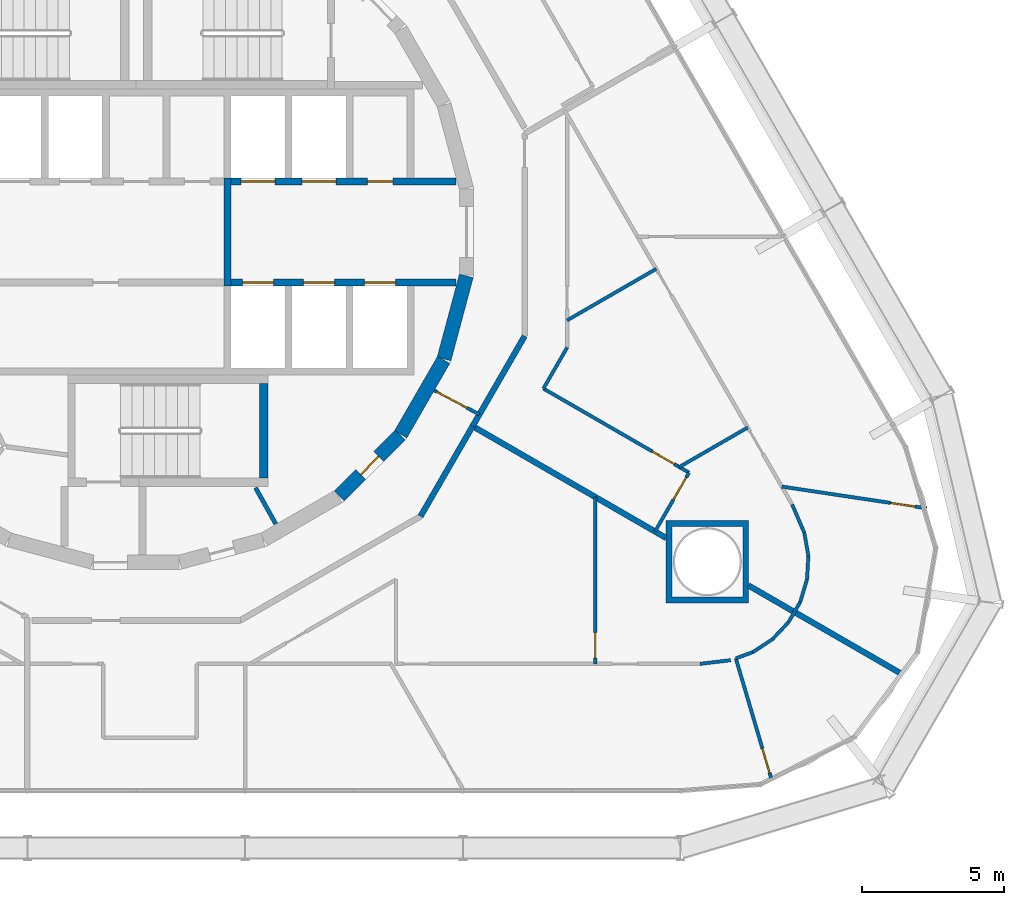
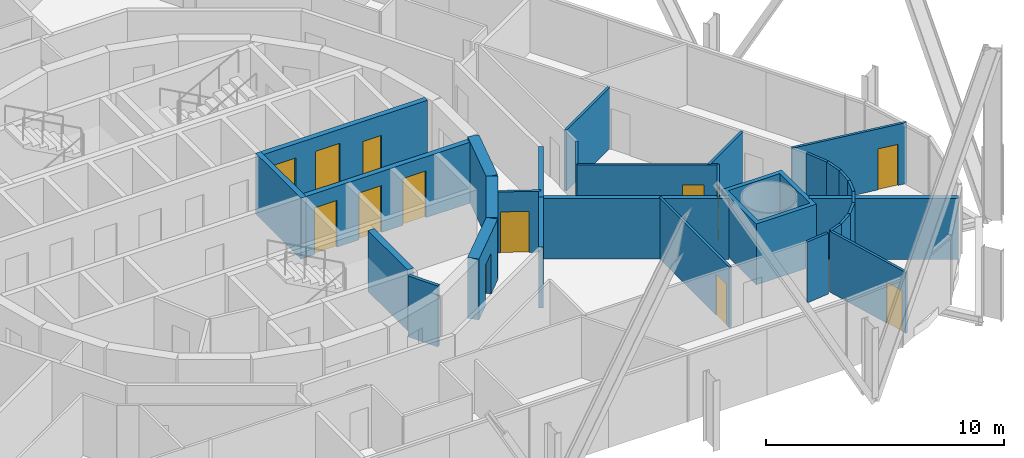
# One storey, part 17 of 21: 31 walls, 13 doors, 13 openings.
"""IFC4 building model written with IfcOpenShell, lengths in metres."""

from ifc_helpers import new_model, si_unit, direction, frame, frame_2d, origin, place, context, subcontext, project, spatial, polyline, rectangle, outline, extrude, material, layer, layer_set, type_object, element, fill, save


model = new_model("IFC4")

# Units and contexts
model_context = context("Model", 3, precision=1e-05, world=origin(), true_north=direction((0.0, 1.0)))
body_context = subcontext(model_context, "Body", "Model", "MODEL_VIEW")
ifc_project = project(units=[si_unit("LENGTHUNIT", "METRE"), si_unit("AREAUNIT", "SQUARE_METRE"), si_unit("VOLUMEUNIT", "CUBIC_METRE"), si_unit("PLANEANGLEUNIT", "RADIAN"), si_unit("MASSUNIT", "GRAM", prefix="KILO")], contexts=[model_context])

# Site, building, storey
site_placement = place(None, origin())
site = spatial("IfcSite", under=ifc_project, at=site_placement, CompositionType="ELEMENT")
building_placement = place(site_placement, origin())
building = spatial("IfcBuilding", under=site, at=building_placement, Name="Spindle Arch Residences", CompositionType="ELEMENT")
storey_placement = place(building_placement, frame((0.0, 0.0, 38.39990234375)))
storey = spatial("IfcBuildingStorey", under=building, at=storey_placement, Name="L07", CompositionType="ELEMENT", Elevation=38.39990234375)

# Wall, opening, door
ifc_material_1 = material(Name="Concrete C50/60", Category="concrete")
ifc_layer_1 = layer(ifc_material_1, 0.5)
ifc_layer_set_1 = layer_set([ifc_layer_1], Name="Core outline wall 500")
wall_type_1 = type_object("IfcWallType", Name="Core outline wall 500", PredefinedType="SHEAR", material=ifc_layer_set_1)
wall_1_placement = place(storey_placement, frame((7.163818359375, -9.30810546875, 0.0), z_axis=(0.0, 0.0, 1.0), x_axis=(0.707106781187, 0.707106781187, 0.0)))
wall_1 = element("IfcWall", 1, at=wall_1_placement, inside=storey, type_object=wall_type_1, Name="Core outline wall 3", PredefinedType="SHEAR", context=body_context, shape_type="SweptSolid", body=[
    extrude(rectangle(XDim=3.032470703125, YDim=0.5, at=frame_2d((1.51611328125, 0.0))), origin(), (0.0, 0.0, 1.0), 3.1201171875),
])
opening_1_placement = place(wall_1_placement, frame((1.06640625, 0.0, 0.0)))
opening_1 = element("IfcOpeningElement", 2, at=opening_1_placement, cuts=wall_1, Name="Opening R1A0-WD07", PredefinedType="OPENING", context=body_context, shape_type="SweptSolid", body=[
    extrude(rectangle(XDim=0.89990234375, YDim=2.10009765625, at=frame_2d((0.449951171875, 1.050048828125))), frame((0.0, 0.260009765625, 0.0), z_axis=(0.0, -1.0, 0.0), x_axis=(1.0, 0.0, 0.0)), (0.0, 0.0, 1.0), 0.52001953125),
])
ifc_material_2 = material(Name="Steel, fire-resisting door", Category="steel")
door_type_1 = type_object("IfcDoorType", Name="Service room door 900x2100", OperationType="SINGLE_SWING_LEFT", PredefinedType="DOOR", material=ifc_material_2)
door_1_placement = place(opening_1_placement, origin())
door_1 = element("IfcDoor", 3, at=door_1_placement, inside=storey, type_object=door_type_1, Name="Service room door R1A0-WD07", OperationType="SINGLE_SWING_RIGHT", OverallHeight=2.10009765625, OverallWidth=0.89990234375, PredefinedType="DOOR", context=body_context, shape_type="SweptSolid", body=[
    extrude(rectangle(XDim=0.89990234375, YDim=2.10009765625, at=frame_2d((0.449951171875, 1.050048828125))), frame((0.0, 0.02490234375, 0.0), z_axis=(0.0, -1.0, 0.0), x_axis=(1.0, 0.0, 0.0)), (0.0, 0.0, 1.0), 0.050048828125),
])
fill(opening_1, door_1)

# Walls
for number, where, z_axis, x_axis, name in (
    (4, (9.32861328125, -7.13671875, 0.0), (0.0, 0.0, 1.0), (0.500087131594, 0.865975092491, 0.0), "Core outline wall 4"),
    (5, (10.858154296875, -4.479248046875, 0.0), (0.0, 0.0, 1.0), (0.258734743916, 0.965948410781, 0.0), "Core outline wall 5"),
):
    element("IfcWall", number, at=place(storey_placement, frame(where, z_axis=z_axis, x_axis=x_axis)), inside=storey, type_object=wall_type_1, Name=name, PredefinedType="SHEAR", context=body_context, shape_type="SweptSolid", body=[
        extrude(rectangle(XDim=3.03271484375, YDim=0.5, at=frame_2d((1.516357421875, 0.0))), origin(), (0.0, 0.0, 1.0), 3.1201171875),
    ])

# Wall, opening, door
ifc_material_3 = material(Name="Plasterboard on steel studs", Category="steel")
ifc_layer_2 = layer(ifc_material_3, 0.1201171875)
ifc_layer_set_2 = layer_set([ifc_layer_2], Name="Corridor division wall 120")
wall_type_2 = type_object("IfcWallType", Name="Corridor division wall 120", PredefinedType="PARTITIONING", material=ifc_layer_set_2)
wall_2_placement = place(storey_placement, frame((10.510986328125, -5.5888671875, 0.0), z_axis=(0.0, 0.0, 1.0), x_axis=(0.88294043061, -0.469485032769, 0.0)))
wall_2 = element("IfcWall", 6, at=wall_2_placement, inside=storey, type_object=wall_type_2, Name="Corridor division wall R1A0-W002", PredefinedType="PARTITIONING", context=body_context, shape_type="SweptSolid", body=[
    extrude(rectangle(XDim=1.803955078125, YDim=0.1201171875, at=frame_2d((0.90185546875, 0.0))), origin(), (0.0, 0.0, 1.0), 3.1201171875),
])
opening_2_placement = place(wall_2_placement, frame((0.10009765625, 0.0, 0.0)))
opening_2 = element("IfcOpeningElement", 7, at=opening_2_placement, cuts=wall_2, Name="Opening R1A0-CD02", PredefinedType="OPENING", context=body_context, shape_type="SweptSolid", body=[
    extrude(rectangle(XDim=1.199951171875, YDim=2.10009765625, at=frame_2d((0.60009765625, 1.050048828125))), frame((0.0, 0.070068359375, 0.0), z_axis=(0.0, -1.0, 0.0), x_axis=(1.0, 0.0, 0.0)), (0.0, 0.0, 1.0), 0.14013671875),
])
ifc_material_4 = material(Name="Steel, fire-resisting door", Category="steel")
door_type_2 = type_object("IfcDoorType", Name="Corridor division door 1200x2100", OperationType="NOTDEFINED", PredefinedType="DOOR", material=ifc_material_4)
door_2_placement = place(opening_2_placement, origin())
door_2 = element("IfcDoor", 8, at=door_2_placement, inside=storey, type_object=door_type_2, Name="Corridor division door R1A0-CD02", OperationType="DOUBLE_DOOR_SINGLE_SWING", OverallHeight=2.10009765625, OverallWidth=1.199951171875, PredefinedType="DOOR", context=body_context, shape_type="SweptSolid", body=[
    extrude(rectangle(XDim=1.199951171875, YDim=2.10009765625, at=frame_2d((0.60009765625, 1.050048828125))), frame((0.0, 0.02490234375, 0.0), z_axis=(0.0, -1.0, 0.0), x_axis=(1.0, 0.0, 0.0)), (0.0, 0.0, 1.0), 0.050048828125),
])
fill(opening_2, door_2)

# Walls
ifc_material_5 = material(Name="Calcium silicate block, plastered")
ifc_layer_3 = layer(ifc_material_5, 0.199951171875)
ifc_layer_set_3 = layer_set([ifc_layer_3], Name="Corridor wall 200")
wall_type_3 = type_object("IfcWallType", Name="Corridor wall 200", PredefinedType="STANDARD", material=ifc_layer_set_3)
wall_3_placement = place(storey_placement, frame((11.864990234375, -6.84912109375, 0.0), z_axis=(0.0, 0.0, 1.0), x_axis=(0.500002704028, 0.866023842607, 0.0)))
element("IfcWall", 9, at=wall_3_placement, inside=storey, type_object=wall_type_3, Name="Corridor wall R1A0-W007", PredefinedType="STANDARD", context=body_context, shape_type="SweptSolid", body=[
    extrude(rectangle(XDim=3.669921875, YDim=0.199951171875, at=frame_2d((1.8349609375, 0.0))), origin(), (0.0, 0.0, 1.0), 3.1201171875),
])
wall_4_placement = place(storey_placement, frame((10.029052734375, -10.029052734375, 0.0), z_axis=(0.0, 0.0, 1.0), x_axis=(0.50001606911, 0.866016126081, 0.0)))
element("IfcWall", 10, at=wall_4_placement, inside=storey, type_object=wall_type_3, Name="Corridor wall R1A0-W016", PredefinedType="STANDARD", context=body_context, shape_type="SweptSolid", body=[
    extrude(rectangle(XDim=3.6708984375, YDim=0.199951171875, at=frame_2d((1.83544921875, 0.0))), origin(), (0.0, 0.0, 1.0), 3.1201171875),
])

# Wall, openings, doors
ifc_material_6 = material(Name="Concrete C40/50", Category="concrete")
ifc_layer_4 = layer(ifc_material_6, 0.25)
ifc_layer_set_4 = layer_set([ifc_layer_4], Name="Fire-lift lobby wall 250")
wall_type_4 = type_object("IfcWallType", Name="Fire-lift lobby wall 250", PredefinedType="SHEAR", material=ifc_layer_set_4)
wall_5_placement = place(storey_placement, frame((3.35009765625, 1.77490234375, 0.0), z_axis=(0.0, 0.0, 1.0), x_axis=(1.0, 0.0, 0.0)))
wall_5 = element("IfcWall", 11, at=wall_5_placement, inside=storey, type_object=wall_type_4, Name="Lift shaft front wall NE", PredefinedType="SHEAR", context=body_context, shape_type="SweptSolid", body=[
    extrude(rectangle(XDim=7.929931640625, YDim=0.25, at=frame_2d((3.96484375, 0.0))), origin(), (0.0, 0.0, 1.0), 3.1201171875),
])
opening_3_placement = place(wall_5_placement, frame((0.35009765625, 0.0, 0.0)))
opening_3 = element("IfcOpeningElement", 12, at=opening_3_placement, cuts=wall_5, Name="Opening R1A0-SLD01", PredefinedType="OPENING", context=body_context, shape_type="SweptSolid", body=[
    extrude(rectangle(XDim=1.199951171875, YDim=2.39990234375, at=frame_2d((0.60009765625, 1.199951171875))), frame((0.0, 0.135009765625, 0.0), z_axis=(0.0, -1.0, 0.0), x_axis=(1.0, 0.0, 0.0)), (0.0, 0.0, 1.0), 0.27001953125),
])
opening_4_placement = place(wall_5_placement, frame((2.5, 0.0, 0.0)))
opening_4 = element("IfcOpeningElement", 13, at=opening_4_placement, cuts=wall_5, Name="Opening R1A0-SLD02", PredefinedType="OPENING", context=body_context, shape_type="SweptSolid", body=[
    extrude(rectangle(XDim=1.199951171875, YDim=2.39990234375, at=frame_2d((0.60009765625, 1.199951171875))), frame((0.0, 0.135009765625, 0.0), z_axis=(0.0, -1.0, 0.0), x_axis=(1.0, 0.0, 0.0)), (0.0, 0.0, 1.0), 0.27001953125),
])
opening_5_placement = place(wall_5_placement, frame((4.800048828125, 0.0, 0.0)))
opening_5 = element("IfcOpeningElement", 14, at=opening_5_placement, cuts=wall_5, Name="Opening R1A0-WD03", PredefinedType="OPENING", context=body_context, shape_type="SweptSolid", body=[
    extrude(rectangle(XDim=0.89990234375, YDim=2.10009765625, at=frame_2d((0.449951171875, 1.050048828125))), frame((0.0, 0.135009765625, 0.0), z_axis=(0.0, -1.0, 0.0), x_axis=(1.0, 0.0, 0.0)), (0.0, 0.0, 1.0), 0.27001953125),
])
ifc_material_7 = material(Name="Steel, fire-resisting landing door", Category="steel")
door_type_3 = type_object("IfcDoorType", Name="Service lift landing door 1200x2400", OperationType="DOUBLE_DOOR_SLIDING", PredefinedType="DOOR", material=ifc_material_7)
door_3_placement = place(opening_3_placement, origin())
door_3 = element("IfcDoor", 15, at=door_3_placement, inside=storey, type_object=door_type_3, Name="Service lift landing door R1A0-SLD01", OperationType="DOUBLE_DOOR_SLIDING", OverallHeight=2.39990234375, OverallWidth=1.199951171875, PredefinedType="DOOR", context=body_context, shape_type="SweptSolid", body=[
    extrude(rectangle(XDim=1.199951171875, YDim=2.39990234375, at=frame_2d((0.60009765625, 1.199951171875))), frame((0.0, 0.02490234375, 0.0), z_axis=(0.0, -1.0, 0.0), x_axis=(1.0, 0.0, 0.0)), (0.0, 0.0, 1.0), 0.050048828125),
])
fill(opening_3, door_3)
door_4_placement = place(opening_4_placement, origin())
door_4 = element("IfcDoor", 16, at=door_4_placement, inside=storey, type_object=door_type_3, Name="Service lift landing door R1A0-SLD02", OperationType="DOUBLE_DOOR_SLIDING", OverallHeight=2.39990234375, OverallWidth=1.199951171875, PredefinedType="DOOR", context=body_context, shape_type="SweptSolid", body=[
    extrude(rectangle(XDim=1.199951171875, YDim=2.39990234375, at=frame_2d((0.60009765625, 1.199951171875))), frame((0.0, 0.02490234375, 0.0), z_axis=(0.0, -1.0, 0.0), x_axis=(1.0, 0.0, 0.0)), (0.0, 0.0, 1.0), 0.050048828125),
])
fill(opening_4, door_4)
door_5_placement = place(opening_5_placement, origin())
door_5 = element("IfcDoor", 17, at=door_5_placement, inside=storey, type_object=door_type_1, Name="Service room door R1A0-WD03", OperationType="SINGLE_SWING_RIGHT", OverallHeight=2.10009765625, OverallWidth=0.89990234375, PredefinedType="DOOR", context=body_context, shape_type="SweptSolid", body=[
    extrude(rectangle(XDim=0.89990234375, YDim=2.10009765625, at=frame_2d((0.449951171875, 1.050048828125))), frame((0.0, 0.02490234375, 0.0), z_axis=(0.0, -1.0, 0.0), x_axis=(1.0, 0.0, 0.0)), (0.0, 0.0, 1.0), 0.050048828125),
])
fill(opening_5, door_5)

# Wall
wall_6_placement = place(storey_placement, frame((3.22509765625, -1.89990234375, 0.0), z_axis=(0.0, 0.0, 1.0), x_axis=(0.0, 1.0, 0.0)))
element("IfcWall", 18, at=wall_6_placement, inside=storey, type_object=wall_type_4, Name="Fire-fighting lobby partition", PredefinedType="SHEAR", context=body_context, shape_type="SweptSolid", body=[
    extrude(rectangle(XDim=3.7998046875, YDim=0.25, at=frame_2d((1.89990234375, 0.0))), origin(), (0.0, 0.0, 1.0), 3.1201171875),
])

# Wall, openings, doors
ifc_material_8 = material(Name="Concrete C50/60", Category="concrete")
ifc_layer_5 = layer(ifc_material_8, 0.25)
ifc_layer_set_5 = layer_set([ifc_layer_5], Name="Fire-lift shaft wall 250")
wall_type_5 = type_object("IfcWallType", Name="Fire-lift shaft wall 250", PredefinedType="SHEAR", material=ifc_layer_set_5)
wall_7_placement = place(storey_placement, frame((3.35009765625, -1.77490234375, 0.0), z_axis=(0.0, 0.0, 1.0), x_axis=(1.0, 0.0, 0.0)))
wall_7 = element("IfcWall", 19, at=wall_7_placement, inside=storey, type_object=wall_type_5, Name="Lift shaft front wall SE", PredefinedType="SHEAR", context=body_context, shape_type="SweptSolid", body=[
    extrude(rectangle(XDim=7.929931640625, YDim=0.25, at=frame_2d((3.96484375, 0.0))), origin(), (0.0, 0.0, 1.0), 3.1201171875),
])
opening_6_placement = place(wall_7_placement, frame((0.39990234375, 0.0, 0.0)))
opening_6 = element("IfcOpeningElement", 20, at=opening_6_placement, cuts=wall_7, Name="Opening R1A0-FLD01", PredefinedType="OPENING", context=body_context, shape_type="SweptSolid", body=[
    extrude(rectangle(XDim=1.10009765625, YDim=2.39990234375, at=frame_2d((0.550048828125, 1.199951171875))), frame((0.0, 0.135009765625, 0.0), z_axis=(0.0, -1.0, 0.0), x_axis=(1.0, 0.0, 0.0)), (0.0, 0.0, 1.0), 0.27001953125),
])
opening_7_placement = place(wall_7_placement, frame((2.550048828125, 0.0, 0.0)))
opening_7 = element("IfcOpeningElement", 21, at=opening_7_placement, cuts=wall_7, Name="Opening R1A0-FLD02", PredefinedType="OPENING", context=body_context, shape_type="SweptSolid", body=[
    extrude(rectangle(XDim=1.10009765625, YDim=2.39990234375, at=frame_2d((0.550048828125, 1.199951171875))), frame((0.0, 0.135009765625, 0.0), z_axis=(0.0, -1.0, 0.0), x_axis=(1.0, 0.0, 0.0)), (0.0, 0.0, 1.0), 0.27001953125),
])
opening_8_placement = place(wall_7_placement, frame((4.699951171875, 0.0, 0.0)))
opening_8 = element("IfcOpeningElement", 22, at=opening_8_placement, cuts=wall_7, Name="Opening R1A0-FLD03", PredefinedType="OPENING", context=body_context, shape_type="SweptSolid", body=[
    extrude(rectangle(XDim=1.10009765625, YDim=2.39990234375, at=frame_2d((0.550048828125, 1.199951171875))), frame((0.0, 0.135009765625, 0.0), z_axis=(0.0, -1.0, 0.0), x_axis=(1.0, 0.0, 0.0)), (0.0, 0.0, 1.0), 0.27001953125),
])
ifc_material_9 = material(Name="Steel, fire-resisting landing door", Category="steel")
door_type_4 = type_object("IfcDoorType", Name="Fire-fighting lift landing door 1100x2400", OperationType="DOUBLE_DOOR_SLIDING", PredefinedType="DOOR", material=ifc_material_9)
door_6_placement = place(opening_6_placement, origin())
door_6 = element("IfcDoor", 23, at=door_6_placement, inside=storey, type_object=door_type_4, Name="Fire-fighting lift landing door R1A0-FLD01", OperationType="DOUBLE_DOOR_SLIDING", OverallHeight=2.39990234375, OverallWidth=1.10009765625, PredefinedType="DOOR", context=body_context, shape_type="SweptSolid", body=[
    extrude(rectangle(XDim=1.10009765625, YDim=2.39990234375, at=frame_2d((0.550048828125, 1.199951171875))), frame((0.0, 0.02490234375, 0.0), z_axis=(0.0, -1.0, 0.0), x_axis=(1.0, 0.0, 0.0)), (0.0, 0.0, 1.0), 0.050048828125),
])
fill(opening_6, door_6)
door_7_placement = place(opening_7_placement, origin())
door_7 = element("IfcDoor", 24, at=door_7_placement, inside=storey, type_object=door_type_4, Name="Fire-fighting lift landing door R1A0-FLD02", OperationType="DOUBLE_DOOR_SLIDING", OverallHeight=2.39990234375, OverallWidth=1.10009765625, PredefinedType="DOOR", context=body_context, shape_type="SweptSolid", body=[
    extrude(rectangle(XDim=1.10009765625, YDim=2.39990234375, at=frame_2d((0.550048828125, 1.199951171875))), frame((0.0, 0.02490234375, 0.0), z_axis=(0.0, -1.0, 0.0), x_axis=(1.0, 0.0, 0.0)), (0.0, 0.0, 1.0), 0.050048828125),
])
fill(opening_7, door_7)
door_8_placement = place(opening_8_placement, origin())
door_8 = element("IfcDoor", 25, at=door_8_placement, inside=storey, type_object=door_type_4, Name="Fire-fighting lift landing door R1A0-FLD03", OperationType="DOUBLE_DOOR_SLIDING", OverallHeight=2.39990234375, OverallWidth=1.10009765625, PredefinedType="DOOR", context=body_context, shape_type="SweptSolid", body=[
    extrude(rectangle(XDim=1.10009765625, YDim=2.39990234375, at=frame_2d((0.550048828125, 1.199951171875))), frame((0.0, 0.02490234375, 0.0), z_axis=(0.0, -1.0, 0.0), x_axis=(1.0, 0.0, 0.0)), (0.0, 0.0, 1.0), 0.050048828125),
])
fill(opening_8, door_8)

# Wall, opening, door
ifc_material_10 = material(Name="Plasterboard on steel studs", Category="steel")
ifc_layer_6 = layer(ifc_material_10, 0.1201171875)
ifc_layer_set_6 = layer_set([ifc_layer_6], Name="Flat partition 120")
wall_type_6 = type_object("IfcWallType", Name="Flat partition 120", PredefinedType="PARTITIONING", material=ifc_layer_set_6)
wall_8_placement = place(storey_placement, frame((16.189208984375, -15.22998046875, 0.0), z_axis=(0.0, 0.0, 1.0), x_axis=(0.0, 1.0, 0.0)))
wall_8 = element("IfcWall", 26, at=wall_8_placement, inside=storey, type_object=wall_type_6, Name="Flat partition R1A0-W092", PredefinedType="PARTITIONING", context=body_context, shape_type="SweptSolid", body=[
    extrude(rectangle(XDim=5.88330078125, YDim=0.1201171875, at=frame_2d((2.941650390625, 0.0))), origin(), (0.0, 0.0, 1.0), 3.1201171875),
])
opening_9_placement = place(wall_8_placement, frame((0.199951171875, 0.0, 0.0)))
opening_9 = element("IfcOpeningElement", 27, at=opening_9_placement, cuts=wall_8, Name="Opening R1A0-ID26", PredefinedType="OPENING", context=body_context, shape_type="SweptSolid", body=[
    extrude(rectangle(XDim=0.89990234375, YDim=2.10009765625, at=frame_2d((0.449951171875, 1.050048828125))), frame((0.0, 0.070068359375, 0.0), z_axis=(0.0, -1.0, 0.0), x_axis=(1.0, 0.0, 0.0)), (0.0, 0.0, 1.0), 0.14013671875),
])
ifc_material_11 = material(Name="Timber door set", Category="wood")
door_type_5 = type_object("IfcDoorType", Name="Room door 900x2100", OperationType="NOTDEFINED", PredefinedType="DOOR", material=ifc_material_11)
door_9_placement = place(opening_9_placement, origin())
door_9 = element("IfcDoor", 28, at=door_9_placement, inside=storey, type_object=door_type_5, Name="Room door R1A0-ID26", OperationType="SINGLE_SWING_RIGHT", OverallHeight=2.10009765625, OverallWidth=0.89990234375, PredefinedType="DOOR", context=body_context, shape_type="SweptSolid", body=[
    extrude(rectangle(XDim=0.89990234375, YDim=2.10009765625, at=frame_2d((0.449951171875, 1.050048828125))), frame((0.0, 0.02490234375, 0.0), z_axis=(0.0, -1.0, 0.0), x_axis=(1.0, 0.0, 0.0)), (0.0, 0.0, 1.0), 0.050048828125),
])
fill(opening_9, door_9)

# Wall
wall_9_placement = place(storey_placement, frame((20.966796875, -15.103759765625, 0.0), z_axis=(0.0, 0.0, 1.0), x_axis=(-0.993231641151, -0.116150363826, 0.0)))
element("IfcWall", 29, at=wall_9_placement, inside=storey, type_object=wall_type_6, Name="Flat partition R1A0-W095", PredefinedType="PARTITIONING", context=body_context, shape_type="SweptSolid", body=[
    extrude(rectangle(XDim=1.086669921875, YDim=0.1201171875, at=frame_2d((0.54345703125, 0.0))), origin(), (0.0, 0.0, 1.0), 3.1201171875),
])

# Wall, opening, door
wall_10_placement = place(storey_placement, frame((22.395751953125, -19.26611328125, 0.0), z_axis=(0.0, 0.0, 1.0), x_axis=(-0.282873823334, 0.959157130022, 0.0)))
wall_10 = element("IfcWall", 30, at=wall_10_placement, inside=storey, type_object=wall_type_6, Name="Flat partition R1A0-W096", PredefinedType="PARTITIONING", context=body_context, shape_type="SweptSolid", body=[
    extrude(rectangle(XDim=4.40869140625, YDim=0.1201171875, at=frame_2d((2.204345703125, 0.0))), origin(), (0.0, 0.0, 1.0), 3.1201171875),
])
opening_10_placement = place(wall_10_placement, frame((0.199951171875, 0.0, 0.0)))
opening_10 = element("IfcOpeningElement", 31, at=opening_10_placement, cuts=wall_10, Name="Opening R1A0-ID28", PredefinedType="OPENING", context=body_context, shape_type="SweptSolid", body=[
    extrude(rectangle(XDim=0.89990234375, YDim=2.10009765625, at=frame_2d((0.449951171875, 1.050048828125))), frame((0.0, 0.070068359375, 0.0), z_axis=(0.0, -1.0, 0.0), x_axis=(1.0, 0.0, 0.0)), (0.0, 0.0, 1.0), 0.14013671875),
])
door_10_placement = place(opening_10_placement, origin())
door_10 = element("IfcDoor", 32, at=door_10_placement, inside=storey, type_object=door_type_5, Name="Room door R1A0-ID28", OperationType="SINGLE_SWING_RIGHT", OverallHeight=2.10009765625, OverallWidth=0.89990234375, PredefinedType="DOOR", context=body_context, shape_type="SweptSolid", body=[
    extrude(rectangle(XDim=0.89990234375, YDim=2.10009765625, at=frame_2d((0.449951171875, 1.050048828125))), frame((0.0, 0.02490234375, 0.0), z_axis=(0.0, -1.0, 0.0), x_axis=(1.0, 0.0, 0.0)), (0.0, 0.0, 1.0), 0.050048828125),
])
fill(opening_10, door_10)

# Walls
wall_11_placement = place(storey_placement, frame((21.148681640625, -15.03759765625, 0.0), z_axis=(0.0, 0.0, 1.0), x_axis=(0.939726102094, 0.341928140173, 0.0)))
element("IfcWall", 33, at=wall_11_placement, inside=storey, type_object=wall_type_6, Name="Flat partition R1A0-W097", PredefinedType="PARTITIONING", context=body_context, shape_type="SweptSolid", body=[
    extrude(rectangle(XDim=0.635498046875, YDim=0.1201171875, at=frame_2d((0.31787109375, 0.0))), origin(), (0.0, 0.0, 1.0), 3.1201171875),
])
wall_12_placement = place(storey_placement, frame((21.745849609375, -14.8203125, 0.0), z_axis=(0.0, 0.0, 1.0), x_axis=(0.835477570013, 0.549524549046, 0.0)))
element("IfcWall", 34, at=wall_12_placement, inside=storey, type_object=wall_type_6, Name="Flat partition R1A0-W098", PredefinedType="PARTITIONING", context=body_context, shape_type="SweptSolid", body=[
    extrude(rectangle(XDim=0.8291015625, YDim=0.1201171875, at=frame_2d((0.41455078125, 0.0))), origin(), (0.0, 0.0, 1.0), 3.1201171875),
])
wall_13_placement = place(storey_placement, frame((22.4384765625, -14.36474609375, 0.0), z_axis=(0.0, 0.0, 1.0), x_axis=(0.686182189596, 0.727429723535, 0.0)))
element("IfcWall", 35, at=wall_13_placement, inside=storey, type_object=wall_type_6, Name="Flat partition R1A0-W099", PredefinedType="PARTITIONING", context=body_context, shape_type="SweptSolid", body=[
    extrude(rectangle(XDim=0.82861328125, YDim=0.1201171875, at=frame_2d((0.414306640625, 0.0))), origin(), (0.0, 0.0, 1.0), 3.1201171875),
])
wall_14_placement = place(storey_placement, frame((23.007080078125, -13.761962890625, 0.0), z_axis=(0.0, 0.0, 1.0), x_axis=(0.500002839747, 0.86602376425, 0.0)))
element("IfcWall", 36, at=wall_14_placement, inside=storey, type_object=wall_type_6, Name="Flat partition R1A0-W100", PredefinedType="PARTITIONING", context=body_context, shape_type="SweptSolid", body=[
    extrude(rectangle(XDim=0.8291015625, YDim=0.1201171875, at=frame_2d((0.41455078125, 0.0))), origin(), (0.0, 0.0, 1.0), 3.1201171875),
])

# Wall, opening, door
wall_15_placement = place(storey_placement, frame((18.297607421875, -10.564208984375, 0.0), z_axis=(0.0, 0.0, 1.0), x_axis=(0.499960392047, 0.866048270239, 0.0)))
wall_15 = element("IfcWall", 37, at=wall_15_placement, inside=storey, type_object=wall_type_6, Name="Flat partition R1A0-W101", PredefinedType="PARTITIONING", context=body_context, shape_type="SweptSolid", body=[
    extrude(rectangle(XDim=2.398193359375, YDim=0.1201171875, at=frame_2d((1.19921875, 0.0))), origin(), (0.0, 0.0, 1.0), 3.1201171875),
])
opening_11_placement = place(wall_15_placement, frame((1.298095703125, 0.0, 0.0)))
opening_11 = element("IfcOpeningElement", 38, at=opening_11_placement, cuts=wall_15, Name="Opening R1A0-ID30", PredefinedType="OPENING", context=body_context, shape_type="SweptSolid", body=[
    extrude(rectangle(XDim=0.89990234375, YDim=2.10009765625, at=frame_2d((0.449951171875, 1.050048828125))), frame((0.0, 0.070068359375, 0.0), z_axis=(0.0, -1.0, 0.0), x_axis=(1.0, 0.0, 0.0)), (0.0, 0.0, 1.0), 0.14013671875),
])
door_11_placement = place(opening_11_placement, origin())
door_11 = element("IfcDoor", 39, at=door_11_placement, inside=storey, type_object=door_type_5, Name="Room door R1A0-ID30", OperationType="SINGLE_SWING_LEFT", OverallHeight=2.10009765625, OverallWidth=0.89990234375, PredefinedType="DOOR", context=body_context, shape_type="SweptSolid", body=[
    extrude(rectangle(XDim=0.89990234375, YDim=2.10009765625, at=frame_2d((0.449951171875, 1.050048828125))), frame((0.0, 0.02490234375, 0.0), z_axis=(0.0, -1.0, 0.0), x_axis=(1.0, 0.0, 0.0)), (0.0, 0.0, 1.0), 0.050048828125),
])
fill(opening_11, door_11)

wall_16_placement = place(storey_placement, frame((19.49658203125, -8.4873046875, 0.0), z_axis=(0.0, 0.0, 1.0), x_axis=(-0.866027165828, 0.499996948039, 0.0)))
wall_16 = element("IfcWall", 40, at=wall_16_placement, inside=storey, type_object=wall_type_6, Name="Flat partition R1A0-W102", PredefinedType="PARTITIONING", context=body_context, shape_type="SweptSolid", body=[
    extrude(rectangle(XDim=5.92822265625, YDim=0.1201171875, at=frame_2d((2.964111328125, 0.0))), origin(), (0.0, 0.0, 1.0), 3.1201171875),
])
opening_12_placement = place(wall_16_placement, frame((0.59521484375, 0.0, 0.0)))
opening_12 = element("IfcOpeningElement", 41, at=opening_12_placement, cuts=wall_16, Name="Opening R1A0-ID31", PredefinedType="OPENING", context=body_context, shape_type="SweptSolid", body=[
    extrude(rectangle(XDim=0.89990234375, YDim=2.10009765625, at=frame_2d((0.449951171875, 1.050048828125))), frame((0.0, 0.070068359375, 0.0), z_axis=(0.0, -1.0, 0.0), x_axis=(1.0, 0.0, 0.0)), (0.0, 0.0, 1.0), 0.14013671875),
])
door_12_placement = place(opening_12_placement, origin())
door_12 = element("IfcDoor", 42, at=door_12_placement, inside=storey, type_object=door_type_5, Name="Room door R1A0-ID31", OperationType="SINGLE_SWING_LEFT", OverallHeight=2.10009765625, OverallWidth=0.89990234375, PredefinedType="DOOR", context=body_context, shape_type="SweptSolid", body=[
    extrude(rectangle(XDim=0.89990234375, YDim=2.10009765625, at=frame_2d((0.449951171875, 1.050048828125))), frame((0.0, 0.02490234375, 0.0), z_axis=(0.0, -1.0, 0.0), x_axis=(1.0, 0.0, 0.0)), (0.0, 0.0, 1.0), 0.050048828125),
])
fill(opening_12, door_12)

# Walls
wall_17_placement = place(storey_placement, frame((14.362548828125, -5.523193359375, 0.0), z_axis=(0.0, 0.0, 1.0), x_axis=(0.499995851058, 0.866027799164, 0.0)))
element("IfcWall", 43, at=wall_17_placement, inside=storey, type_object=wall_type_6, Name="Flat partition R1A0-W103", PredefinedType="PARTITIONING", context=body_context, shape_type="SweptSolid", body=[
    extrude(rectangle(XDim=1.6748046875, YDim=0.1201171875, at=frame_2d((0.83740234375, 0.0))), origin(), (0.0, 0.0, 1.0), 3.1201171875),
])
wall_18_placement = place(storey_placement, frame((23.133056640625, -9.60791015625, 0.0), z_axis=(0.0, 0.0, 1.0), x_axis=(0.396195073027, -0.918166359713, 0.0)))
element("IfcWall", 44, at=wall_18_placement, inside=storey, type_object=wall_type_6, Name="Flat partition R1A0-W108", PredefinedType="PARTITIONING", context=body_context, shape_type="SweptSolid", body=[
    extrude(rectangle(XDim=1.0869140625, YDim=0.1201171875, at=frame_2d((0.54345703125, 0.0))), origin(), (0.0, 0.0, 1.0), 3.1201171875),
])
for number, where, z_axis, x_axis, name in (
    (45, (23.563720703125, -10.60595703125, 0.0), (0.0, 0.0, 1.0), (0.173466108083, -0.984839839439, 0.0), "Flat partition R1A0-W109"),
    (46, (23.70751953125, -11.42236328125, 0.0), (0.0, 0.0, 1.0), (-0.058031280246, -0.998314765248, 0.0), "Flat partition R1A0-W110"),
):
    element("IfcWall", number, at=place(storey_placement, frame(where, z_axis=z_axis, x_axis=x_axis)), inside=storey, type_object=wall_type_6, Name=name, PredefinedType="PARTITIONING", context=body_context, shape_type="SweptSolid", body=[
        extrude(rectangle(XDim=0.828857421875, YDim=0.1201171875, at=frame_2d((0.41455078125, 0.0))), origin(), (0.0, 0.0, 1.0), 3.1201171875),
    ])
wall_19_placement = place(storey_placement, frame((23.659423828125, -12.249755859375, 0.0), z_axis=(0.0, 0.0, 1.0), x_axis=(-0.286834510868, -0.957980147694, 0.0)))
element("IfcWall", 47, at=wall_19_placement, inside=storey, type_object=wall_type_6, Name="Flat partition R1A0-W111", PredefinedType="PARTITIONING", context=body_context, shape_type="SweptSolid", body=[
    extrude(rectangle(XDim=0.8291015625, YDim=0.1201171875, at=frame_2d((0.41455078125, 0.0))), origin(), (0.0, 0.0, 1.0), 3.1201171875),
])

# Wall, opening, door
wall_20_placement = place(storey_placement, frame((27.880126953125, -9.7470703125, 0.0), z_axis=(0.0, 0.0, 1.0), x_axis=(-0.988899241625, 0.14858765061, 0.0)))
wall_20 = element("IfcWall", 48, at=wall_20_placement, inside=storey, type_object=wall_type_6, Name="Flat partition R1A0-W112", PredefinedType="PARTITIONING", context=body_context, shape_type="SweptSolid", body=[
    extrude(rectangle(XDim=5.16748046875, YDim=0.1201171875, at=frame_2d((2.583740234375, 0.0))), origin(), (0.0, 0.0, 1.0), 3.1201171875),
])
opening_13_placement = place(wall_20_placement, frame((0.39990234375, 0.0, 0.0)))
opening_13 = element("IfcOpeningElement", 49, at=opening_13_placement, cuts=wall_20, Name="Opening R1A0-ID34", PredefinedType="OPENING", context=body_context, shape_type="SweptSolid", body=[
    extrude(rectangle(XDim=0.89990234375, YDim=2.10009765625, at=frame_2d((0.449951171875, 1.050048828125))), frame((0.0, 0.070068359375, 0.0), z_axis=(0.0, -1.0, 0.0), x_axis=(1.0, 0.0, 0.0)), (0.0, 0.0, 1.0), 0.14013671875),
])
door_13_placement = place(opening_13_placement, origin())
door_13 = element("IfcDoor", 50, at=door_13_placement, inside=storey, type_object=door_type_5, Name="Room door R1A0-ID34", OperationType="SINGLE_SWING_LEFT", OverallHeight=2.10009765625, OverallWidth=0.89990234375, PredefinedType="DOOR", context=body_context, shape_type="SweptSolid", body=[
    extrude(rectangle(XDim=0.89990234375, YDim=2.10009765625, at=frame_2d((0.449951171875, 1.050048828125))), frame((0.0, 0.02490234375, 0.0), z_axis=(0.0, -1.0, 0.0), x_axis=(1.0, 0.0, 0.0)), (0.0, 0.0, 1.0), 0.050048828125),
])
fill(opening_13, door_13)

# Walls
wall_21_placement = place(storey_placement, frame((21.567626953125, -6.896484375, 0.0), z_axis=(0.0, 0.0, 1.0), x_axis=(-0.866029478545, -0.499992942241, 0.0)))
element("IfcWall", 51, at=wall_21_placement, inside=storey, type_object=wall_type_6, Name="Flat partition R1A0-W113", PredefinedType="PARTITIONING", context=body_context, shape_type="SweptSolid", body=[
    extrude(rectangle(XDim=2.78662109375, YDim=0.1201171875, at=frame_2d((1.393310546875, 0.0))), origin(), (0.0, 0.0, 1.0), 3.1201171875),
])
wall_22_placement = place(storey_placement, frame((18.338623046875, -1.303466796875, 0.0), z_axis=(0.0, 0.0, 1.0), x_axis=(-0.866037510713, -0.499979029598, 0.0)))
element("IfcWall", 52, at=wall_22_placement, inside=storey, type_object=wall_type_6, Name="Flat partition R1A0-W114", PredefinedType="PARTITIONING", context=body_context, shape_type="SweptSolid", body=[
    extrude(rectangle(XDim=3.624267578125, YDim=0.1201171875, at=frame_2d((1.81201171875, 0.0))), origin(), (0.0, 0.0, 1.0), 3.1201171875),
])
ifc_material_12 = material(Name="Calcium silicate block, plastered")
ifc_layer_7 = layer(ifc_material_12, 0.199951171875)
ifc_layer_set_7 = layer_set([ifc_layer_7], Name="Flat party wall 200")
wall_type_7 = type_object("IfcWallType", Name="Flat party wall 200", PredefinedType="STANDARD", material=ifc_layer_set_7)
wall_23_placement = place(storey_placement, frame((18.693603515625, -10.792724609375, 0.0), z_axis=(0.0, 0.0, 1.0), x_axis=(-0.865964895271, 0.500104789178, 0.0)))
element("IfcWall", 53, at=wall_23_placement, inside=storey, type_object=wall_type_7, Name="Flat party wall R1A0-W025", PredefinedType="STANDARD", context=body_context, shape_type="SweptSolid", body=[
    extrude(rectangle(XDim=7.885498046875, YDim=0.199951171875, at=frame_2d((3.94287109375, 0.0))), origin(), (0.0, 0.0, 1.0), 3.1201171875),
])
wall_24_placement = place(storey_placement, frame((27.02490234375, -15.602783203125, 0.0), z_axis=(0.0, 0.0, 1.0), x_axis=(-0.866030653443, 0.499990907215, 0.0)))
element("IfcWall", 54, at=wall_24_placement, inside=storey, type_object=wall_type_7, Name="Flat party wall R1A0-W026", PredefinedType="STANDARD", context=body_context, shape_type="SweptSolid", body=[
    extrude(rectangle(XDim=6.271484375, YDim=0.199951171875, at=frame_2d((3.1357421875, 0.0))), origin(), (0.0, 0.0, 1.0), 3.1201171875),
])
ifc_material_13 = material(Name="Calcium silicate block, plastered")
ifc_layer_8 = layer(ifc_material_13, 0.199951171875)
ifc_layer_set_8 = layer_set([ifc_layer_8], Name="Mega-column casing wall 200")
wall_type_8 = type_object("IfcWallType", Name="Mega-column casing wall 200", PredefinedType="STANDARD", material=ifc_layer_set_8)
wall_25_placement = place(storey_placement, origin())
element("IfcWall", 55, at=wall_25_placement, inside=storey, type_object=wall_type_8, Name="Mega-column casing wall R1A0-WC03", PredefinedType="STANDARD", context=body_context, shape_type="SweptSolid", body=[
    extrude(outline(polyline([(21.593505859375, -10.179931640625), (21.593505859375, -13.079833984375), (18.693603515625, -13.079833984375), (18.693603515625, -10.179931640625), (21.593505859375, -10.179931640625)]), holes=[polyline([(18.8935546875, -12.8798828125), (21.3935546875, -12.8798828125), (21.3935546875, -10.3798828125), (18.8935546875, -10.3798828125), (18.8935546875, -12.8798828125)])]), origin(), (0.0, 0.0, 1.0), 3.1201171875),
])
ifc_material_14 = material(Name="Concrete C25/30", Category="concrete")
ifc_layer_9 = layer(ifc_material_14, 0.14990234375)
ifc_layer_set_9 = layer_set([ifc_layer_9], Name="Service room partition 150")
wall_type_9 = type_object("IfcWallType", Name="Service room partition 150", PredefinedType="PARTITIONING", material=ifc_layer_set_9)
wall_26_placement = place(storey_placement, frame((4.922119140625, -10.295654296875, 0.0), z_axis=(0.0, 0.0, 1.0), x_axis=(-0.48860846254, 0.872503163509, 0.0)))
element("IfcWall", 56, at=wall_26_placement, inside=storey, type_object=wall_type_9, Name="Core service room partition", PredefinedType="PARTITIONING", context=body_context, shape_type="SweptSolid", body=[
    extrude(rectangle(XDim=1.45947265625, YDim=0.14990234375, at=frame_2d((0.729736328125, 0.0))), origin(), (0.0, 0.0, 1.0), 3.1201171875),
])
ifc_material_15 = material(Name="Concrete C50/60", Category="concrete")
ifc_layer_10 = layer(ifc_material_15, 0.300048828125)
ifc_layer_set_10 = layer_set([ifc_layer_10], Name="Stair enclosure wall 300")
wall_type_10 = type_object("IfcWallType", Name="Stair enclosure wall 300", PredefinedType="SHEAR", material=ifc_layer_set_10)
wall_27_placement = place(storey_placement, frame((4.5, -8.669921875, 0.0), z_axis=(0.0, 0.0, 1.0), x_axis=(0.0, 1.0, 0.0)))
element("IfcWall", 57, at=wall_27_placement, inside=storey, type_object=wall_type_10, Name="Stair ST-3 enclosure wall E", PredefinedType="SHEAR", context=body_context, shape_type="SweptSolid", body=[
    extrude(rectangle(XDim=3.31982421875, YDim=0.300048828125, at=frame_2d((1.659912109375, 0.0))), origin(), (0.0, 0.0, 1.0), 3.1201171875),
])

save(model, "model.ifc")
